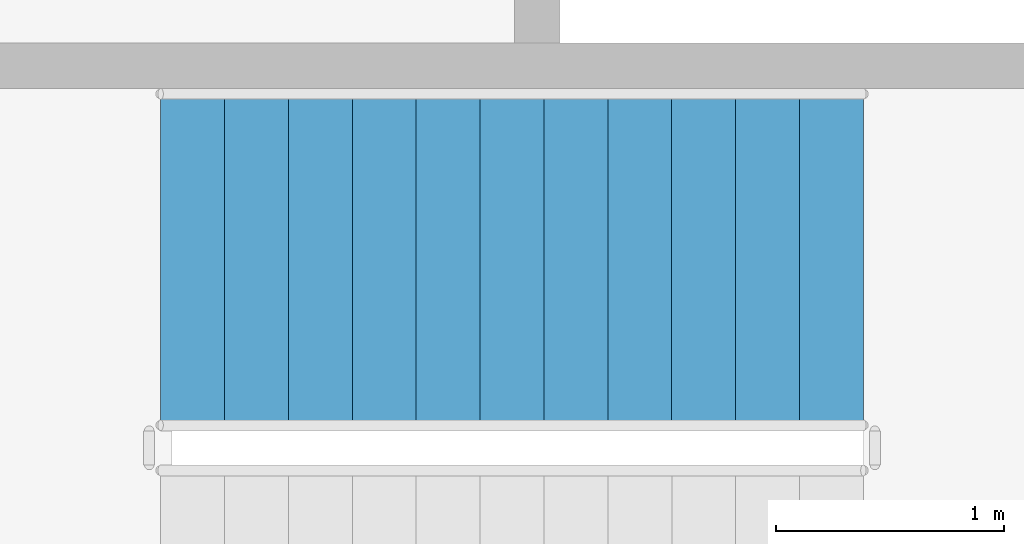
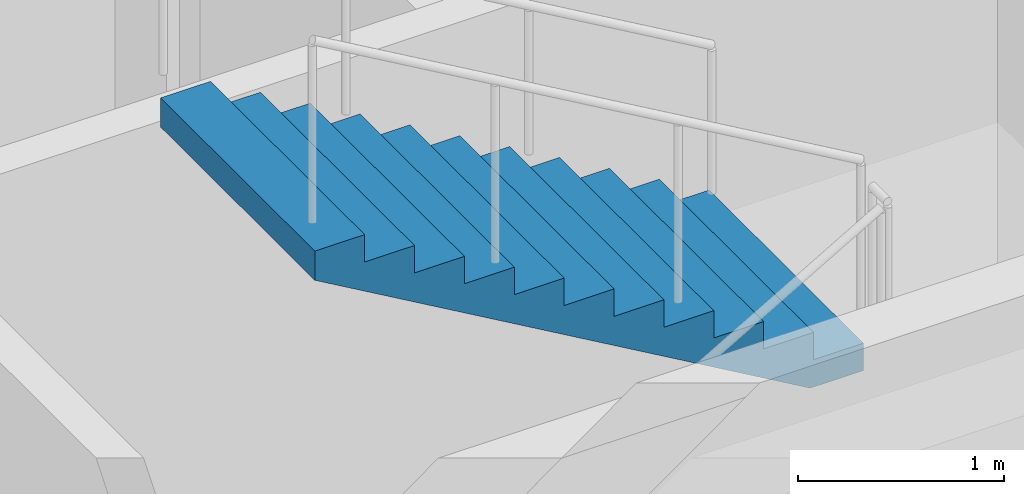
# One storey, part 50 of 56: 1 stair flight, 1 element without a shape of its own.
"""IFC4 building model written with IfcOpenShell, lengths in metres."""

from ifc_helpers import new_model, si_unit, direction, frame, origin, place, context, subcontext, project, spatial, triangles, material, type_object, element, aggregate, save


model = new_model("IFC4")

# Units and contexts
model_context = context("Model", 3, precision=1e-05, world=origin(), true_north=direction((0.0, 1.0)))
body_context = subcontext(model_context, "Body", "Model", "MODEL_VIEW")
ifc_project = project(units=[si_unit("LENGTHUNIT", "METRE"), si_unit("AREAUNIT", "SQUARE_METRE"), si_unit("VOLUMEUNIT", "CUBIC_METRE"), si_unit("PLANEANGLEUNIT", "RADIAN"), si_unit("MASSUNIT", "GRAM", prefix="KILO")], contexts=[model_context])

# Site, building, storey
site_placement = place(None, origin())
site = spatial("IfcSite", under=ifc_project, at=site_placement, CompositionType="ELEMENT")
building_placement = place(site_placement, origin())
building = spatial("IfcBuilding", under=site, at=building_placement, Name="Magnolia Steps Interchange", CompositionType="ELEMENT")
storey_placement = place(building_placement, frame((0.0, 0.0, 8.699951171875)))
storey = spatial("IfcBuildingStorey", under=building, at=storey_placement, Name="L02", CompositionType="ELEMENT", Elevation=8.699951171875)

# Stair, stair flight
ifc_material_1 = material(Name="Concrete C40", Category="concrete")
stair_type = type_object("IfcStairType", Name="Exit stair 1500", PredefinedType="HALF_TURN_STAIR", material=ifc_material_1)
stair_placement = place(storey_placement, origin())
stair = element("IfcStair", 1, at=stair_placement, inside=storey, type_object=stair_type, Name="L02 Stair 29", PredefinedType="HALF_TURN_STAIR")
ifc_material_2 = material(Name="Concrete C40", Category="concrete")
stair_flight_type = type_object("IfcStairFlightType", Name="Exit stair flight", PredefinedType="STRAIGHT", material=ifc_material_2)
stair_flight_placement = place(storey_placement, frame((115.929931640625, 99.25, 1.949951171875), z_axis=(0.0, 0.0, 1.0), x_axis=(-1.0, 0.0, 0.0)))
stair_flight = element("IfcStairFlight", 2, at=stair_flight_placement, type_object=stair_flight_type, Name="Stair 29 flight 2", NumberOfRisers=12, NumberOfTreads=11, PredefinedType="STRAIGHT", RiserHeight=0.1625, TreadLength=0.28, context=body_context, shape_type="Tessellation", body=[
    triangles([(0.0, -0.75, 0.0), (0.298583984375, -0.75, 0.0), (3.080078125, -0.75, 1.6142578125), (3.080078125, -0.75, 1.78759765625), (2.800048828125, -0.75, 1.78759765625), (2.800048828125, -0.75, 1.625), (2.52001953125, -0.75, 1.625), (2.52001953125, -0.75, 1.46240234375), (2.239990234375, -0.75, 1.46240234375), (2.239990234375, -0.75, 1.300048828125), (1.9599609375, -0.75, 1.300048828125), (1.9599609375, -0.75, 1.137451171875), (1.679931640625, -0.75, 1.137451171875), (1.679931640625, -0.75, 0.97509765625), (1.39990234375, -0.75, 0.97509765625), (1.39990234375, -0.75, 0.8125), (1.1201171875, -0.75, 0.8125), (1.1201171875, -0.75, 0.64990234375), (0.840087890625, -0.75, 0.64990234375), (0.840087890625, -0.75, 0.487548828125), (0.56005859375, -0.75, 0.487548828125), (0.56005859375, -0.75, 0.324951171875), (0.280029296875, -0.75, 0.324951171875), (0.280029296875, -0.75, 0.16259765625), (0.0, -0.75, 0.16259765625), (0.0, 0.75, 0.0), (0.298583984375, 0.75, 0.0), (3.080078125, 0.75, 1.6142578125), (3.080078125, 0.75, 1.78759765625), (2.800048828125, 0.75, 1.78759765625), (2.800048828125, 0.75, 1.625), (2.52001953125, 0.75, 1.625), (2.52001953125, 0.75, 1.46240234375), (2.239990234375, 0.75, 1.46240234375), (2.239990234375, 0.75, 1.300048828125), (1.9599609375, 0.75, 1.300048828125), (1.9599609375, 0.75, 1.137451171875), (1.679931640625, 0.75, 1.137451171875), (1.679931640625, 0.75, 0.97509765625), (1.39990234375, 0.75, 0.97509765625), (1.39990234375, 0.75, 0.8125), (1.1201171875, 0.75, 0.8125), (1.1201171875, 0.75, 0.64990234375), (0.840087890625, 0.75, 0.64990234375), (0.840087890625, 0.75, 0.487548828125), (0.56005859375, 0.75, 0.487548828125), (0.56005859375, 0.75, 0.324951171875), (0.280029296875, 0.75, 0.324951171875), (0.280029296875, 0.75, 0.16259765625), (0.0, 0.75, 0.16259765625), (0.0, 0.0, 0.0), (0.0, 0.0, 0.0406494140625), (0.0, 0.0, 0.081298828125), (0.0, 0.0, 0.1219482421875), (0.0, 0.0, 0.16259765625), (0.0, -0.05, 0.0), (0.0, -0.05, 0.16259765625), (0.0, 0.05, 0.0), (0.0, 0.05, 0.16259765625), (0.046671549479166664, 0.0, 0.16259765625), (0.09334309895833333, 0.0, 0.16259765625), (0.1400146484375, 0.0, 0.16259765625), (0.18668619791666666, 0.0, 0.16259765625), (0.23335774739583334, 0.0, 0.16259765625), (0.280029296875, 0.0, 0.16259765625), (0.280029296875, -0.05, 0.16259765625), (0.280029296875, 0.05, 0.16259765625), (0.280029296875, 0.0, 0.20318603515625), (0.280029296875, 0.0, 0.2437744140625), (0.280029296875, 0.0, 0.28436279296875), (0.280029296875, 0.0, 0.324951171875), (0.280029296875, -0.05, 0.324951171875), (0.280029296875, 0.05, 0.324951171875), (0.3267008463541667, 0.0, 0.324951171875), (0.3733723958333333, 0.0, 0.324951171875), (0.4200439453125, 0.0, 0.324951171875), (0.46671549479166663, 0.0, 0.324951171875), (0.5133870442708334, 0.0, 0.324951171875), (0.56005859375, 0.0, 0.324951171875), (0.56005859375, -0.05, 0.324951171875), (0.56005859375, 0.05, 0.324951171875), (0.56005859375, 0.0, 0.3656005859375), (0.56005859375, 0.0, 0.40625), (0.56005859375, 0.0, 0.4468994140625), (0.56005859375, 0.0, 0.487548828125), (0.56005859375, -0.05, 0.487548828125), (0.56005859375, 0.05, 0.487548828125), (0.6067301432291666, 0.0, 0.487548828125), (0.6534016927083334, 0.0, 0.487548828125), (0.7000732421875, 0.0, 0.487548828125), (0.7467447916666666, 0.0, 0.487548828125), (0.7934163411458334, 0.0, 0.487548828125), (0.840087890625, 0.0, 0.487548828125), (0.840087890625, -0.05, 0.487548828125), (0.840087890625, 0.05, 0.487548828125), (0.840087890625, 0.0, 0.52813720703125), (0.840087890625, 0.0, 0.5687255859375), (0.840087890625, 0.0, 0.60931396484375), (0.840087890625, 0.0, 0.64990234375), (0.840087890625, -0.05, 0.64990234375), (0.840087890625, 0.05, 0.64990234375), (0.8867594401041666, 0.0, 0.64990234375), (0.9334309895833334, 0.0, 0.64990234375), (0.9801025390625, 0.0, 0.64990234375), (1.0267740885416667, 0.0, 0.64990234375), (1.0734456380208333, 0.0, 0.64990234375), (1.1201171875, 0.0, 0.64990234375), (1.1201171875, -0.05, 0.64990234375), (1.1201171875, 0.05, 0.64990234375), (1.1201171875, 0.0, 0.6905517578125), (1.1201171875, 0.0, 0.731201171875), (1.1201171875, 0.0, 0.7718505859375), (1.1201171875, 0.0, 0.8125), (1.1201171875, -0.05, 0.8125), (1.1201171875, 0.05, 0.8125), (1.1900634765625, 0.0, 0.8125), (1.260009765625, 0.0, 0.8125), (1.3299560546875, 0.0, 0.8125), (1.39990234375, 0.0, 0.8125), (1.39990234375, -0.05, 0.8125), (1.39990234375, 0.05, 0.8125), (1.39990234375, 0.0, 0.8531494140625), (1.39990234375, 0.0, 0.893798828125), (1.39990234375, 0.0, 0.9344482421875), (1.39990234375, 0.0, 0.97509765625), (1.39990234375, -0.05, 0.97509765625), (1.39990234375, 0.05, 0.97509765625), (1.4465738932291667, 0.0, 0.97509765625), (1.4932454427083333, 0.0, 0.97509765625), (1.5399169921875, 0.0, 0.97509765625), (1.5865885416666667, 0.0, 0.97509765625), (1.6332600911458333, 0.0, 0.97509765625), (1.679931640625, 0.0, 0.97509765625), (1.679931640625, -0.05, 0.97509765625), (1.679931640625, 0.05, 0.97509765625), (1.679931640625, 0.0, 1.01568603515625), (1.679931640625, 0.0, 1.0562744140625), (1.679931640625, 0.0, 1.09686279296875), (1.679931640625, 0.0, 1.137451171875), (1.679931640625, -0.05, 1.137451171875), (1.679931640625, 0.05, 1.137451171875), (1.7266031901041667, 0.0, 1.137451171875), (1.7732747395833333, 0.0, 1.137451171875), (1.8199462890625, 0.0, 1.137451171875), (1.8666178385416667, 0.0, 1.137451171875), (1.9132893880208333, 0.0, 1.137451171875), (1.9599609375, 0.0, 1.137451171875), (1.9599609375, -0.05, 1.137451171875), (1.9599609375, 0.05, 1.137451171875), (1.9599609375, 0.0, 1.1781005859375), (1.9599609375, 0.0, 1.21875), (1.9599609375, 0.0, 1.2593994140625), (1.9599609375, 0.0, 1.300048828125), (1.9599609375, -0.05, 1.300048828125), (1.9599609375, 0.05, 1.300048828125), (2.0066324869791665, 0.0, 1.300048828125), (2.0533040364583335, 0.0, 1.300048828125), (2.0999755859375, 0.0, 1.300048828125), (2.1466471354166665, 0.0, 1.300048828125), (2.1933186848958335, 0.0, 1.300048828125), (2.239990234375, 0.0, 1.300048828125), (2.239990234375, -0.05, 1.300048828125), (2.239990234375, 0.05, 1.300048828125), (2.239990234375, 0.0, 1.34063720703125), (2.239990234375, 0.0, 1.3812255859375), (2.239990234375, 0.0, 1.42181396484375), (2.239990234375, 0.0, 1.46240234375), (2.239990234375, -0.05, 1.46240234375), (2.239990234375, 0.05, 1.46240234375), (2.2866617838541665, 0.0, 1.46240234375), (2.3333333333333335, 0.0, 1.46240234375), (2.3800048828125, 0.0, 1.46240234375), (2.4266764322916665, 0.0, 1.46240234375), (2.4733479817708335, 0.0, 1.46240234375), (2.52001953125, 0.0, 1.46240234375), (2.52001953125, -0.05, 1.46240234375), (2.52001953125, 0.05, 1.46240234375), (2.52001953125, 0.0, 1.5030517578125), (2.52001953125, 0.0, 1.543701171875), (2.52001953125, 0.0, 1.5843505859375), (2.52001953125, 0.0, 1.625), (2.52001953125, -0.05, 1.625), (2.52001953125, 0.05, 1.625), (2.5666910807291665, 0.0, 1.625), (2.6133626302083335, 0.0, 1.625), (2.6600341796875, 0.0, 1.625), (2.7067057291666665, 0.0, 1.625), (2.7533772786458335, 0.0, 1.625), (2.800048828125, 0.0, 1.625), (2.800048828125, -0.05, 1.625), (2.800048828125, 0.05, 1.625), (2.800048828125, 0.0, 1.6656494140625), (2.800048828125, 0.0, 1.706298828125), (2.800048828125, 0.0, 1.7469482421875), (2.800048828125, 0.0, 1.78759765625), (2.800048828125, -0.05, 1.78759765625), (2.800048828125, 0.05, 1.78759765625), (2.8467203776041665, 0.0, 1.78759765625), (2.8933919270833335, 0.0, 1.78759765625), (2.9400634765625, 0.0, 1.78759765625), (2.9867350260416665, 0.0, 1.78759765625), (3.0334065755208335, 0.0, 1.78759765625), (3.080078125, 0.0, 1.78759765625), (3.080078125, -0.05, 1.78759765625), (3.080078125, 0.05, 1.78759765625), (3.080078125, 0.0, 1.7442626953125), (3.080078125, 0.0, 1.700927734375), (3.080078125, 0.0, 1.6575927734375), (3.080078125, 0.0, 1.6142578125), (3.080078125, -0.05, 1.6142578125), (3.080078125, 0.05, 1.6142578125), (3.0196108610733696, 0.0, 1.5791652513586956), (2.9591435971467392, 0.0, 1.5440726902173914), (2.898676333220109, 0.0, 1.508980129076087), (2.8382090692934785, 0.0, 1.4738875679347827), (2.7777418053668477, 0.0, 1.4387950067934783), (2.7172745414402173, 0.0, 1.4037024456521738), (2.656807277513587, 0.0, 1.3686098845108696), (2.5963400135869565, 0.0, 1.3335173233695652), (2.535872749660326, 0.0, 1.2984247622282608), (2.475405485733696, 0.0, 1.2633322010869565), (2.4149382218070654, 0.0, 1.228239639945652), (2.3544709578804346, 0.0, 1.193147078804348), (2.294003693953804, 0.0, 1.1580545176630435), (2.233536430027174, 0.0, 1.1229619565217392), (2.1730691661005435, 0.0, 1.0878693953804348), (2.112601902173913, 0.0, 1.0527768342391304), (2.0521346382472827, 0.0, 1.0176842730978262), (1.991667374320652, 0.0, 0.9825917119565217), (1.9312001103940217, 0.0, 0.9474991508152174), (1.8707328464673914, 0.0, 0.9124065896739131), (1.810265582540761, 0.0, 0.8773140285326086), (1.7497983186141304, 0.0, 0.8422214673913043), (1.6893310546875, 0.0, 0.80712890625), (1.6288637907608696, 0.0, 0.7720363451086957), (1.568396526834239, 0.0, 0.7369437839673914), (1.5079292629076086, 0.0, 0.7018512228260869), (1.4474619989809783, 0.0, 0.6667586616847826), (1.386994735054348, 0.0, 0.6316661005434783), (1.3265274711277173, 0.0, 0.5965735394021738), (1.266060207201087, 0.0, 0.5614809782608696), (1.2055929432744565, 0.0, 0.5263884171195652), (1.1451256793478262, 0.0, 0.491295855978261), (1.0846584154211956, 0.0, 0.45620329483695654), (1.0241911514945654, 0.0, 0.4211107336956521), (0.9637238875679346, 0.0, 0.3860181725543479), (0.9032566236413042, 0.0, 0.35092561141304346), (0.8427893597146738, 0.0, 0.315833050271739), (0.7823220957880435, 0.0, 0.2807404891304348), (0.7218548318614131, 0.0, 0.24564792798913038), (0.6613875679347827, 0.0, 0.21055536684782616), (0.6009203040081523, 0.0, 0.17546280570652173), (0.540453040081522, 0.0, 0.1403702445652173), (0.47998577615489113, 0.0, 0.10527768342391308), (0.41951851222826075, 0.0, 0.07018512228260865), (0.3590512483016304, 0.0, 0.035092561141304435), (0.298583984375, 0.0, 0.0), (0.298583984375, -0.05, 0.0), (0.298583984375, 0.05, 0.0), (0.24881998697916666, 0.0, 0.0), (0.19905598958333331, 0.0, 0.0), (0.1492919921875, 0.0, 0.0), (0.09952799479166666, 0.0, 0.0), (0.04976399739583334, 0.0, 0.0)], [[1, 2, 3], [3, 4, 5], [3, 5, 6], [3, 6, 7], [3, 7, 8], [8, 9, 10], [3, 8, 10], [10, 11, 12], [3, 10, 12], [12, 13, 14], [3, 12, 14], [14, 15, 16], [3, 14, 16], [16, 17, 18], [3, 16, 18], [18, 19, 20], [3, 18, 20], [20, 21, 22], [3, 20, 22], [1, 3, 22], [22, 23, 24], [1, 22, 24], [24, 25, 1], [26, 28, 27], [28, 30, 29], [28, 31, 30], [28, 32, 31], [28, 33, 32], [33, 35, 34], [28, 35, 33], [35, 37, 36], [28, 37, 35], [37, 39, 38], [28, 39, 37], [39, 41, 40], [28, 41, 39], [41, 43, 42], [28, 43, 41], [43, 45, 44], [28, 45, 43], [45, 47, 46], [28, 47, 45], [26, 47, 28], [47, 49, 48], [26, 49, 47], [49, 26, 50], [1, 25, 57], [1, 57, 56], [56, 52, 51], [56, 53, 52], [56, 57, 53], [57, 54, 53], [57, 55, 54], [26, 59, 50], [26, 58, 59], [58, 51, 52], [58, 52, 53], [58, 53, 59], [59, 53, 54], [59, 54, 55], [25, 24, 66], [25, 66, 57], [57, 60, 55], [57, 61, 60], [57, 62, 61], [57, 66, 62], [66, 63, 62], [66, 64, 63], [66, 65, 64], [50, 67, 49], [50, 59, 67], [59, 55, 60], [59, 60, 61], [59, 61, 62], [59, 62, 67], [67, 62, 63], [67, 63, 64], [67, 64, 65], [24, 23, 72], [24, 72, 66], [66, 68, 65], [66, 69, 68], [66, 72, 69], [72, 70, 69], [72, 71, 70], [49, 73, 48], [49, 67, 73], [67, 65, 68], [67, 68, 69], [67, 69, 73], [73, 69, 70], [73, 70, 71], [23, 22, 80], [23, 80, 72], [72, 74, 71], [72, 75, 74], [72, 76, 75], [72, 80, 76], [80, 77, 76], [80, 78, 77], [80, 79, 78], [48, 81, 47], [48, 73, 81], [73, 71, 74], [73, 74, 75], [73, 75, 76], [73, 76, 81], [81, 76, 77], [81, 77, 78], [81, 78, 79], [22, 21, 86], [22, 86, 80], [80, 82, 79], [80, 83, 82], [80, 86, 83], [86, 84, 83], [86, 85, 84], [47, 87, 46], [47, 81, 87], [81, 79, 82], [81, 82, 83], [81, 83, 87], [87, 83, 84], [87, 84, 85], [21, 20, 94], [21, 94, 86], [86, 88, 85], [86, 89, 88], [86, 90, 89], [86, 94, 90], [94, 91, 90], [94, 92, 91], [94, 93, 92], [46, 95, 45], [46, 87, 95], [87, 85, 88], [87, 88, 89], [87, 89, 90], [87, 90, 95], [95, 90, 91], [95, 91, 92], [95, 92, 93], [20, 19, 100], [20, 100, 94], [94, 96, 93], [94, 97, 96], [94, 100, 97], [100, 98, 97], [100, 99, 98], [45, 101, 44], [45, 95, 101], [95, 93, 96], [95, 96, 97], [95, 97, 101], [101, 97, 98], [101, 98, 99], [19, 18, 108], [19, 108, 100], [100, 102, 99], [100, 103, 102], [100, 104, 103], [100, 108, 104], [108, 105, 104], [108, 106, 105], [108, 107, 106], [44, 109, 43], [44, 101, 109], [101, 99, 102], [101, 102, 103], [101, 103, 104], [101, 104, 109], [109, 104, 105], [109, 105, 106], [109, 106, 107], [18, 17, 114], [18, 114, 108], [108, 110, 107], [108, 111, 110], [108, 114, 111], [114, 112, 111], [114, 113, 112], [43, 115, 42], [43, 109, 115], [109, 107, 110], [109, 110, 111], [109, 111, 115], [115, 111, 112], [115, 112, 113], [17, 16, 120], [17, 120, 114], [114, 116, 113], [114, 117, 116], [114, 120, 117], [120, 118, 117], [120, 119, 118], [42, 121, 41], [42, 115, 121], [115, 113, 116], [115, 116, 117], [115, 117, 121], [121, 117, 118], [121, 118, 119], [16, 15, 126], [16, 126, 120], [120, 122, 119], [120, 123, 122], [120, 126, 123], [126, 124, 123], [126, 125, 124], [41, 127, 40], [41, 121, 127], [121, 119, 122], [121, 122, 123], [121, 123, 127], [127, 123, 124], [127, 124, 125], [15, 14, 134], [15, 134, 126], [126, 128, 125], [126, 129, 128], [126, 130, 129], [126, 134, 130], [134, 131, 130], [134, 132, 131], [134, 133, 132], [40, 135, 39], [40, 127, 135], [127, 125, 128], [127, 128, 129], [127, 129, 130], [127, 130, 135], [135, 130, 131], [135, 131, 132], [135, 132, 133], [14, 13, 140], [14, 140, 134], [134, 136, 133], [134, 137, 136], [134, 140, 137], [140, 138, 137], [140, 139, 138], [39, 141, 38], [39, 135, 141], [135, 133, 136], [135, 136, 137], [135, 137, 141], [141, 137, 138], [141, 138, 139], [13, 12, 148], [13, 148, 140], [140, 142, 139], [140, 143, 142], [140, 144, 143], [140, 148, 144], [148, 145, 144], [148, 146, 145], [148, 147, 146], [38, 149, 37], [38, 141, 149], [141, 139, 142], [141, 142, 143], [141, 143, 144], [141, 144, 149], [149, 144, 145], [149, 145, 146], [149, 146, 147], [12, 11, 154], [12, 154, 148], [148, 150, 147], [148, 151, 150], [148, 154, 151], [154, 152, 151], [154, 153, 152], [37, 155, 36], [37, 149, 155], [149, 147, 150], [149, 150, 151], [149, 151, 155], [155, 151, 152], [155, 152, 153], [11, 10, 162], [11, 162, 154], [154, 156, 153], [154, 157, 156], [154, 158, 157], [154, 162, 158], [162, 159, 158], [162, 160, 159], [162, 161, 160], [36, 163, 35], [36, 155, 163], [155, 153, 156], [155, 156, 157], [155, 157, 158], [155, 158, 163], [163, 158, 159], [163, 159, 160], [163, 160, 161], [10, 9, 168], [10, 168, 162], [162, 164, 161], [162, 165, 164], [162, 168, 165], [168, 166, 165], [168, 167, 166], [35, 169, 34], [35, 163, 169], [163, 161, 164], [163, 164, 165], [163, 165, 169], [169, 165, 166], [169, 166, 167], [9, 8, 176], [9, 176, 168], [168, 170, 167], [168, 171, 170], [168, 172, 171], [168, 176, 172], [176, 173, 172], [176, 174, 173], [176, 175, 174], [34, 177, 33], [34, 169, 177], [169, 167, 170], [169, 170, 171], [169, 171, 172], [169, 172, 177], [177, 172, 173], [177, 173, 174], [177, 174, 175], [8, 7, 182], [8, 182, 176], [176, 178, 175], [176, 179, 178], [176, 182, 179], [182, 180, 179], [182, 181, 180], [33, 183, 32], [33, 177, 183], [177, 175, 178], [177, 178, 179], [177, 179, 183], [183, 179, 180], [183, 180, 181], [7, 6, 190], [7, 190, 182], [182, 184, 181], [182, 185, 184], [182, 186, 185], [182, 190, 186], [190, 187, 186], [190, 188, 187], [190, 189, 188], [32, 191, 31], [32, 183, 191], [183, 181, 184], [183, 184, 185], [183, 185, 186], [183, 186, 191], [191, 186, 187], [191, 187, 188], [191, 188, 189], [6, 5, 196], [6, 196, 190], [190, 192, 189], [190, 193, 192], [190, 196, 193], [196, 194, 193], [196, 195, 194], [31, 197, 30], [31, 191, 197], [191, 189, 192], [191, 192, 193], [191, 193, 197], [197, 193, 194], [197, 194, 195], [5, 4, 204], [5, 204, 196], [196, 198, 195], [196, 199, 198], [196, 200, 199], [196, 204, 200], [204, 201, 200], [204, 202, 201], [204, 203, 202], [30, 205, 29], [30, 197, 205], [197, 195, 198], [197, 198, 199], [197, 199, 200], [197, 200, 205], [205, 200, 201], [205, 201, 202], [205, 202, 203], [4, 3, 210], [4, 210, 204], [204, 206, 203], [204, 207, 206], [204, 210, 207], [210, 208, 207], [210, 209, 208], [29, 211, 28], [29, 205, 211], [205, 203, 206], [205, 206, 207], [205, 207, 211], [211, 207, 208], [211, 208, 209], [3, 2, 258], [3, 258, 210], [210, 212, 209], [210, 213, 212], [210, 214, 213], [210, 215, 214], [210, 216, 215], [210, 217, 216], [210, 218, 217], [210, 219, 218], [210, 220, 219], [210, 221, 220], [210, 222, 221], [210, 223, 222], [210, 224, 223], [210, 225, 224], [210, 226, 225], [210, 227, 226], [210, 228, 227], [210, 229, 228], [210, 230, 229], [210, 231, 230], [210, 232, 231], [210, 233, 232], [210, 234, 233], [210, 258, 234], [258, 235, 234], [258, 236, 235], [258, 237, 236], [258, 238, 237], [258, 239, 238], [258, 240, 239], [258, 241, 240], [258, 242, 241], [258, 243, 242], [258, 244, 243], [258, 245, 244], [258, 246, 245], [258, 247, 246], [258, 248, 247], [258, 249, 248], [258, 250, 249], [258, 251, 250], [258, 252, 251], [258, 253, 252], [258, 254, 253], [258, 255, 254], [258, 256, 255], [258, 257, 256], [28, 259, 27], [28, 211, 259], [211, 209, 212], [211, 212, 213], [211, 213, 214], [211, 214, 215], [211, 215, 216], [211, 216, 217], [211, 217, 218], [211, 218, 219], [211, 219, 220], [211, 220, 221], [211, 221, 222], [211, 222, 223], [211, 223, 224], [211, 224, 225], [211, 225, 226], [211, 226, 227], [211, 227, 228], [211, 228, 229], [211, 229, 230], [211, 230, 231], [211, 231, 232], [211, 232, 233], [211, 233, 234], [211, 234, 259], [259, 234, 235], [259, 235, 236], [259, 236, 237], [259, 237, 238], [259, 238, 239], [259, 239, 240], [259, 240, 241], [259, 241, 242], [259, 242, 243], [259, 243, 244], [259, 244, 245], [259, 245, 246], [259, 246, 247], [259, 247, 248], [259, 248, 249], [259, 249, 250], [259, 250, 251], [259, 251, 252], [259, 252, 253], [259, 253, 254], [259, 254, 255], [259, 255, 256], [259, 256, 257], [2, 1, 56], [2, 56, 258], [258, 260, 257], [258, 261, 260], [258, 262, 261], [258, 56, 262], [56, 263, 262], [56, 264, 263], [56, 51, 264], [27, 58, 26], [27, 259, 58], [259, 257, 260], [259, 260, 261], [259, 261, 262], [259, 262, 58], [58, 262, 263], [58, 263, 264], [58, 264, 51]], closed=True),
])
aggregate(stair, [stair_flight])

save(model, "model.ifc")
